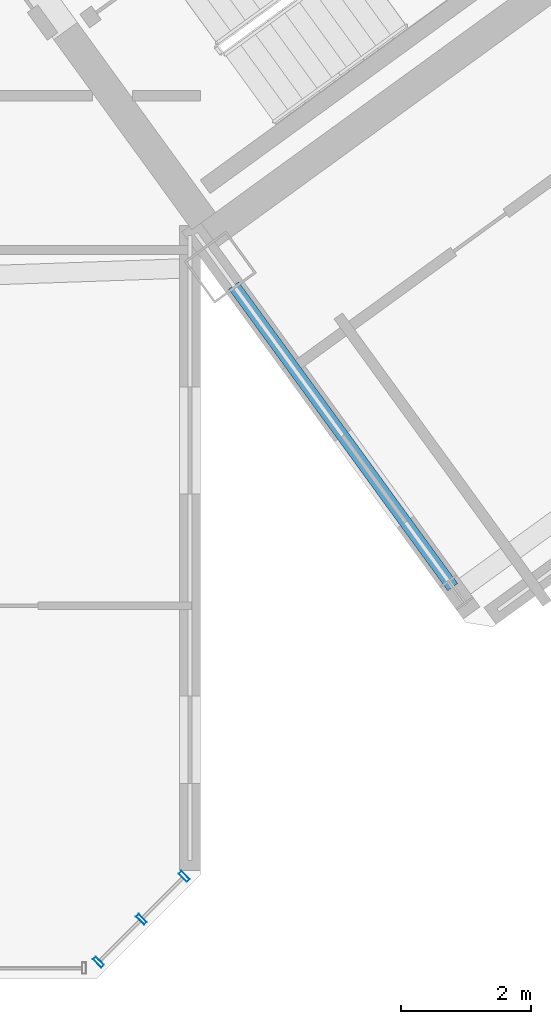
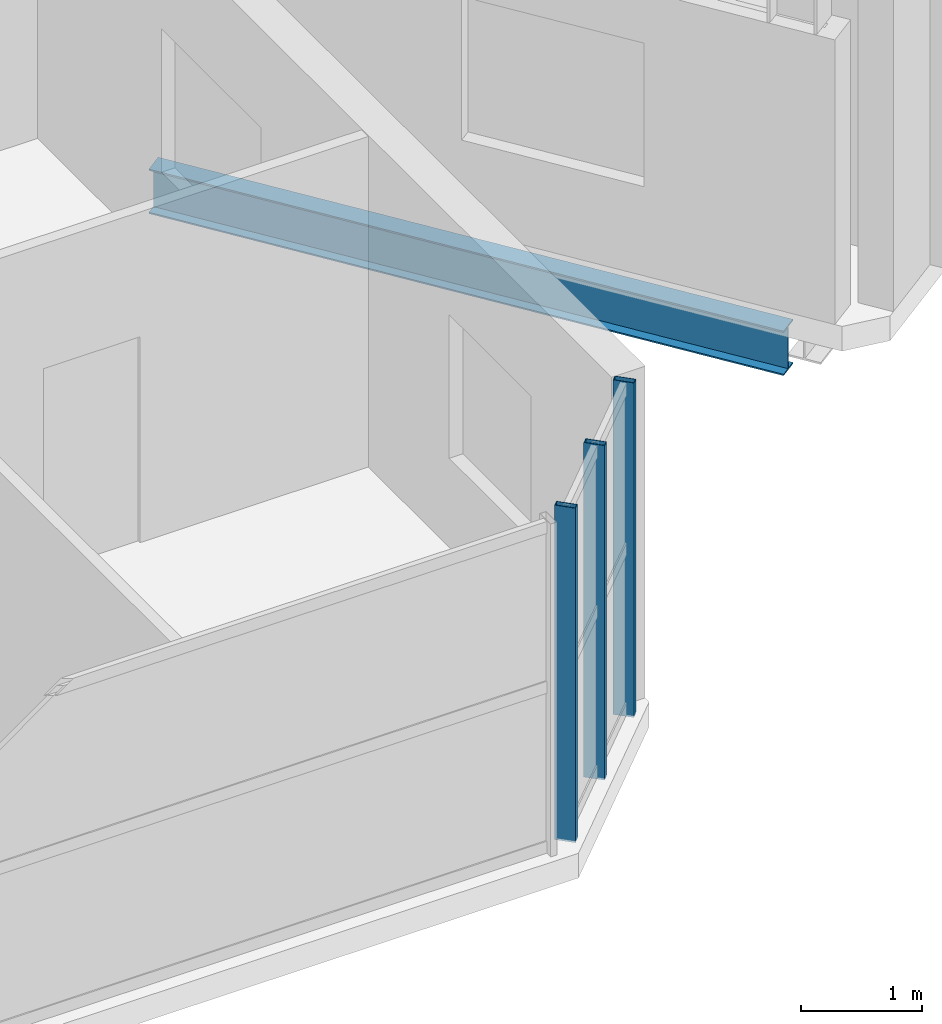
# One storey, part 10 of 29: 3 members, 1 beam, 1 element without a shape of its own.
"""IFC4 building model written with IfcOpenShell, lengths in metres."""

from ifc_helpers import new_model, si_unit, direction, frame, origin, origin_2d, place, context, subcontext, project, spatial, hollow_rectangle, i_section, extrude, source, transform, mapped, material, material_profile, profile_set, type_object, element, aggregate, save


model = new_model("IFC4")

# Units and contexts
model_context = context("Model", 3, precision=1e-05, world=origin(), true_north=direction((0.0, 1.0)))
body_context = subcontext(model_context, "Body", "Model", "MODEL_VIEW")
ifc_project = project(units=[si_unit("LENGTHUNIT", "METRE"), si_unit("AREAUNIT", "SQUARE_METRE"), si_unit("VOLUMEUNIT", "CUBIC_METRE"), si_unit("PLANEANGLEUNIT", "RADIAN"), si_unit("MASSUNIT", "GRAM", prefix="KILO")], contexts=[model_context])

# Site, building, storey
site_placement = place(None, origin())
site = spatial("IfcSite", under=ifc_project, at=site_placement, CompositionType="ELEMENT")
building_placement = place(site_placement, origin())
building = spatial("IfcBuilding", under=site, at=building_placement, Name="Tlacorven Tower", CompositionType="ELEMENT")
storey_placement = place(building_placement, frame((0.0, 0.0, 238.5)))
storey = spatial("IfcBuildingStorey", under=building, at=storey_placement, Name="L60", CompositionType="ELEMENT", Elevation=238.5)

# Beam
ifc_material_1 = material(Name="Steel S355J2", Category="steel")
ifc_material_profile_1 = material_profile(ifc_material_1, i_section(OverallWidth=0.18994140625, OverallDepth=0.449951171875, WebThickness=0.009521484375, FlangeThickness=0.0146484375, at=origin_2d()), Name="IPE 450")
ifc_profile_set_1 = profile_set([ifc_material_profile_1], Name="Steel S355J2")
beam_type = type_object("IfcBeamType", Name="BM-TWR-450", PredefinedType="BEAM", material=ifc_profile_set_1)
shared_shape_1 = source(origin(), body_context, "Body", "SweptSolid", [
    extrude(i_section(OverallWidth=0.18994140625, OverallDepth=0.449951171875, WebThickness=0.009521484375, FlangeThickness=0.0146484375, at=origin_2d()), origin(), (0.0, 0.0, 1.0), 5.75),
])
beam_placement = place(storey_placement, frame((56.291015625, 7.83837890625, -0.47509765625), z_axis=(-0.587797998499, 0.80900773356, 0.0), x_axis=(-0.80900773356, -0.587797998499, 0.0)))
element("IfcBeam", 1, at=beam_placement, inside=storey, type_object=beam_type, Name="L60 beam BM-L60-ET1-1", PredefinedType="BEAM", context=body_context, shape_type="MappedRepresentation", body=[
    mapped(shared_shape_1, transform((0.0, 0.0, 0.0), scale=1.0)),
])

# Curtain wall, members
ifc_material_2 = material(Name="Dark solar low-E double glazing in aluminium frame", Category="aluminium")
curtain_wall_type = type_object("IfcCurtainWallType", Name="CW-TWR-HIGH", PredefinedType="USERDEFINED", material=ifc_material_2)
curtain_wall_placement = place(storey_placement, origin())
curtain_wall = element("IfcCurtainWall", 2, at=curtain_wall_placement, inside=storey, type_object=curtain_wall_type, Name="L60 CW-TWR-HIGH Curtain Wall 272", ObjectType="UNITISED CURTAIN WALL", PredefinedType="USERDEFINED")
ifc_material_3 = material(Name="Aluminium 6063-T6 anodised", Category="aluminium")
ifc_material_profile_2 = material_profile(ifc_material_3, hollow_rectangle(XDim=0.06005859375, YDim=0.179931640625, WallThickness=0.00390625, at=origin_2d()), Name="ALU MULLION 60X180")
ifc_profile_set_2 = profile_set([ifc_material_profile_2], Name="Aluminium 6063-T6 anodised")
member_type = type_object("IfcMemberType", Name="CWM-03", PredefinedType="MULLION", material=ifc_profile_set_2)
shared_shape_2 = source(origin(), body_context, "Body", "SweptSolid", [
    extrude(hollow_rectangle(XDim=0.06005859375, YDim=0.179931640625, WallThickness=0.00390625, at=origin_2d()), origin(), (0.0, 0.0, 1.0), 3.380126953125),
])
member_1_placement = place(storey_placement, frame((52.148193359375, 3.374267578125, -0.02001953125), z_axis=(0.0, 0.0, 1.0), x_axis=(-0.707106781187, -0.707106781187, 0.0)))
member_1 = element("IfcMember", 3, at=member_1_placement, type_object=member_type, Name="CW-L60-272 Mullion 1", PredefinedType="MULLION", context=body_context, shape_type="MappedRepresentation", body=[
    mapped(shared_shape_2, transform((0.0, 0.0, 0.0), scale=1.0)),
])
member_2_placement = place(storey_placement, frame((51.48681640625, 2.713134765625, -0.02001953125), z_axis=(0.0, 0.0, 1.0), x_axis=(-0.707106781187, -0.707106781187, 0.0)))
member_2 = element("IfcMember", 4, at=member_2_placement, type_object=member_type, Name="CW-L60-272 Mullion 2", PredefinedType="MULLION", context=body_context, shape_type="MappedRepresentation", body=[
    mapped(shared_shape_2, transform((0.0, 0.0, 0.0), scale=1.0)),
])
member_3_placement = place(storey_placement, frame((50.82568359375, 2.052001953125, -0.02001953125), z_axis=(0.0, 0.0, 1.0), x_axis=(-0.707106781187, -0.707106781187, 0.0)))
member_3 = element("IfcMember", 5, at=member_3_placement, type_object=member_type, Name="CW-L60-272 Mullion 3", PredefinedType="MULLION", context=body_context, shape_type="MappedRepresentation", body=[
    mapped(shared_shape_2, transform((0.0, 0.0, 0.0), scale=1.0)),
])
aggregate(curtain_wall, [member_1, member_2, member_3])

save(model, "model.ifc")
